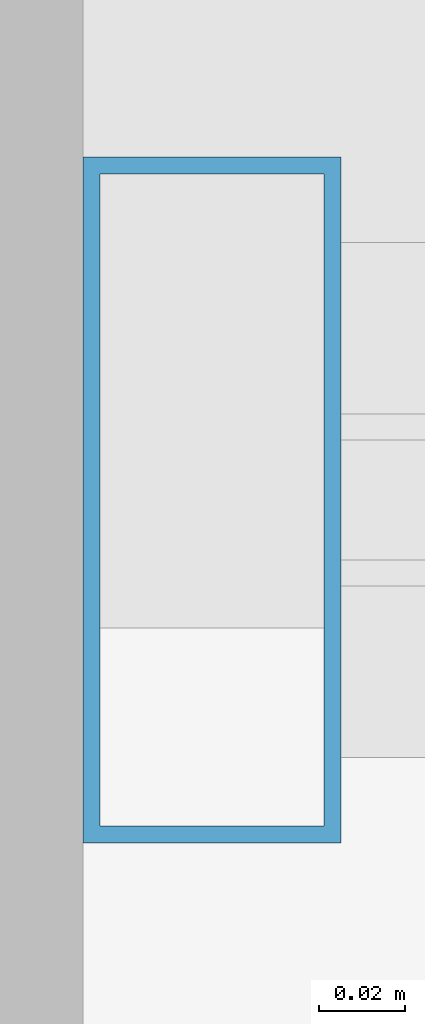
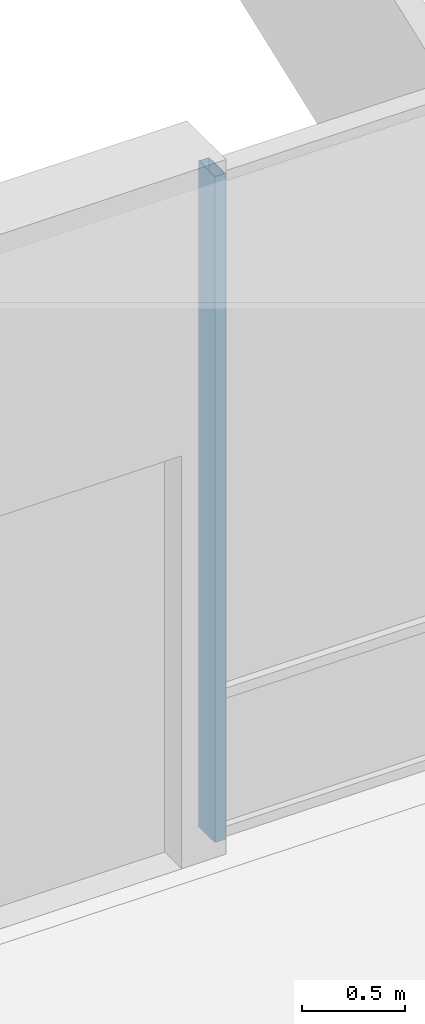
# One storey, part 110 of 233: 1 member, 1 element without a shape of its own.
"""IFC4 building model written with IfcOpenShell, lengths in metres."""

from ifc_helpers import new_model, si_unit, direction, frame, origin, origin_2d, place, context, subcontext, project, spatial, hollow_rectangle, extrude, material, material_profile, profile_set, type_object, element, aggregate, save


model = new_model("IFC4")

# Units and contexts
model_context = context("Model", 3, precision=1e-05, world=origin(), true_north=direction((0.0, 1.0)))
body_context = subcontext(model_context, "Body", "Model", "MODEL_VIEW")
ifc_project = project(units=[si_unit("LENGTHUNIT", "METRE"), si_unit("AREAUNIT", "SQUARE_METRE"), si_unit("VOLUMEUNIT", "CUBIC_METRE"), si_unit("PLANEANGLEUNIT", "RADIAN"), si_unit("MASSUNIT", "GRAM", prefix="KILO")], contexts=[model_context])

# Site, building, storey
site_placement = place(None, origin())
site = spatial("IfcSite", under=ifc_project, at=site_placement, CompositionType="ELEMENT")
building_placement = place(site_placement, origin())
building = spatial("IfcBuilding", under=site, at=building_placement, Name="Zavelmont Quarter", CompositionType="ELEMENT")
storey_placement = place(building_placement, origin())
storey = spatial("IfcBuildingStorey", under=building, at=storey_placement, Name="L00", CompositionType="ELEMENT", Elevation=0.0)

# Curtain wall, member
ifc_material_1 = material(Name="Thermally broken aluminium and double low-E safety glazing", Category="aluminium")
curtain_wall_type = type_object("IfcCurtainWallType", Name="CW-285X395", PredefinedType="NOTDEFINED", material=ifc_material_1)
curtain_wall_placement = place(storey_placement, origin())
curtain_wall = element("IfcCurtainWall", 1, at=curtain_wall_placement, inside=storey, type_object=curtain_wall_type, Name="L00 unitised curtain wall CW-285X395", PredefinedType="NOTDEFINED")
ifc_material_2 = material(Name="Powder-coated aluminium EN AW-6063-T6", Category="aluminium")
ifc_material_profile = material_profile(ifc_material_2, hollow_rectangle(XDim=0.06005859375, YDim=0.159912109375, WallThickness=0.00390625, at=origin_2d()), Name="CWM60X160")
ifc_profile_set = profile_set([ifc_material_profile], Name="Powder-coated aluminium EN AW-6063-T6")
member_type = type_object("IfcMemberType", Name="CWM01", PredefinedType="MULLION", material=ifc_profile_set)
member_placement = place(storey_placement, frame((30.929931640625, 116.0, 0.0), z_axis=(0.0, 0.0, 1.0), x_axis=(1.0, 0.0, 0.0)))
member = element("IfcMember", 2, at=member_placement, type_object=member_type, Name="CW-285X395 mullion 1", PredefinedType="MULLION", context=body_context, shape_type="SweptSolid", body=[
    extrude(hollow_rectangle(XDim=0.06005859375, YDim=0.159912109375, WallThickness=0.00390625, at=origin_2d()), origin(), (0.0, 0.0, 1.0), 3.949951171875),
])
aggregate(curtain_wall, [member])

save(model, "model.ifc")
